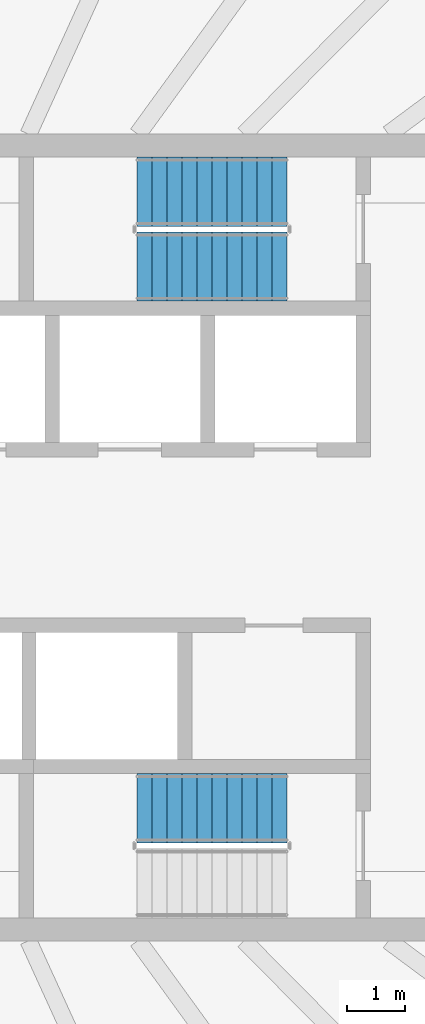
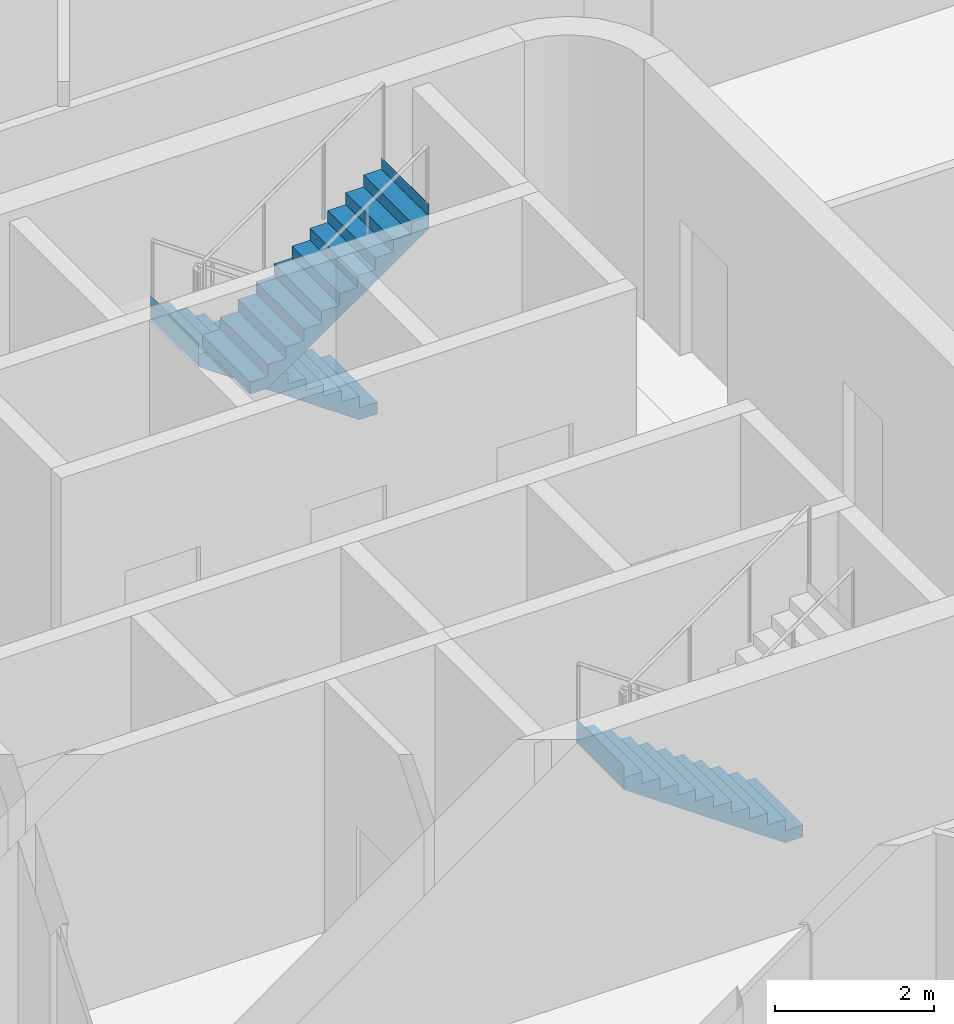
# One storey, part 15 of 20: 3 stair flights, 2 elements without a shape of their own.
"""IFC4 building model written with IfcOpenShell, lengths in metres."""

from ifc_helpers import new_model, si_unit, direction, frame, origin, place, context, subcontext, project, spatial, triangles, material, type_object, element, aggregate, save


model = new_model("IFC4")

# Units and contexts
model_context = context("Model", 3, precision=1e-05, world=origin(), true_north=direction((0.0, 1.0)))
body_context = subcontext(model_context, "Body", "Model", "MODEL_VIEW")
ifc_project = project(units=[si_unit("LENGTHUNIT", "METRE"), si_unit("AREAUNIT", "SQUARE_METRE"), si_unit("VOLUMEUNIT", "CUBIC_METRE"), si_unit("PLANEANGLEUNIT", "RADIAN"), si_unit("MASSUNIT", "GRAM", prefix="KILO")], contexts=[model_context])

# Site, building, storey
site_placement = place(None, origin())
site = spatial("IfcSite", under=ifc_project, at=site_placement, CompositionType="ELEMENT")
building_placement = place(site_placement, origin())
building = spatial("IfcBuilding", under=site, at=building_placement, Name="Sahrelin Media Tower", CompositionType="ELEMENT")
storey_placement = place(building_placement, frame((0.0, 0.0, 209.60009765625)))
storey = spatial("IfcBuildingStorey", under=building, at=storey_placement, Name="L44", CompositionType="ELEMENT", Elevation=209.60009765625)

# Stair, stair flights
ifc_material = material(Name="Concrete C40/50", Category="concrete")
stair_type = type_object("IfcStairType", Name="Exit stair 1200", PredefinedType="HALF_TURN_STAIR", material=ifc_material)
placement = place(storey_placement, origin())
stair_1 = element("IfcStair", 1, at=placement, inside=storey, type_object=stair_type, Name="L44 Exit stair ST3", PredefinedType="HALF_TURN_STAIR")
stair_flight_type = type_object("IfcStairFlightType", Name="Stair flight 1200", PredefinedType="STRAIGHT", material=ifc_material)
stair_flight_1_placement = place(storey_placement, frame((7.675048828125, 6.0, 0.0), z_axis=(0.0, 0.0, 1.0), x_axis=(-1.0, 0.0, 0.0)))
stair_flight_1 = element("IfcStairFlight", 2, at=stair_flight_1_placement, type_object=stair_flight_type, Name="ST3 flight 1", NumberOfRisers=11, NumberOfTreads=10, PredefinedType="STRAIGHT", RiserHeight=0.181818182, TreadLength=0.26, context=body_context, shape_type="Tessellation", body=[
    triangles([(0.261474609375, 0.60009765625, 0.0), (0.261474609375, 0.300048828125, 0.0), (0.261474609375, 0.0, 0.0), (0.261474609375, -0.300048828125, 0.0), (0.261474609375, -0.60009765625, 0.0), (2.60009765625, 0.60009765625, 1.63525390625), (2.60009765625, 0.300048828125, 1.63525390625), (2.60009765625, 0.0, 1.63525390625), (2.60009765625, -0.300048828125, 1.63525390625), (2.60009765625, -0.60009765625, 1.63525390625), (2.60009765625, 0.60009765625, 2.0), (2.60009765625, 0.300048828125, 2.0), (2.60009765625, 0.0, 2.0), (2.60009765625, -0.300048828125, 2.0), (2.60009765625, -0.60009765625, 2.0), (2.597900390625, 0.60009765625, 2.0), (2.597900390625, 0.300048828125, 2.0), (2.597900390625, 0.0, 2.0), (2.597900390625, -0.300048828125, 2.0), (2.597900390625, -0.60009765625, 2.0), (2.597900390625, 0.60009765625, 1.818115234375), (2.597900390625, 0.300048828125, 1.818115234375), (2.597900390625, 0.0, 1.818115234375), (2.597900390625, -0.300048828125, 1.818115234375), (2.597900390625, -0.60009765625, 1.818115234375), (2.340087890625, 0.60009765625, 1.818115234375), (2.340087890625, 0.300048828125, 1.818115234375), (2.340087890625, 0.0, 1.818115234375), (2.340087890625, -0.300048828125, 1.818115234375), (2.340087890625, -0.60009765625, 1.818115234375), (2.340087890625, 0.60009765625, 1.636474609375), (2.340087890625, 0.300048828125, 1.636474609375), (2.340087890625, 0.0, 1.636474609375), (2.340087890625, -0.300048828125, 1.636474609375), (2.340087890625, -0.60009765625, 1.636474609375), (2.080078125, 0.60009765625, 1.636474609375), (2.080078125, 0.300048828125, 1.636474609375), (2.080078125, 0.0, 1.636474609375), (2.080078125, -0.300048828125, 1.636474609375), (2.080078125, -0.60009765625, 1.636474609375), (2.080078125, 0.60009765625, 1.45458984375), (2.080078125, 0.300048828125, 1.45458984375), (2.080078125, 0.0, 1.45458984375), (2.080078125, -0.300048828125, 1.45458984375), (2.080078125, -0.60009765625, 1.45458984375), (1.820068359375, 0.60009765625, 1.45458984375), (1.820068359375, 0.300048828125, 1.45458984375), (1.820068359375, 0.0, 1.45458984375), (1.820068359375, -0.300048828125, 1.45458984375), (1.820068359375, -0.60009765625, 1.45458984375), (1.820068359375, 0.60009765625, 1.272705078125), (1.820068359375, 0.300048828125, 1.272705078125), (1.820068359375, 0.0, 1.272705078125), (1.820068359375, -0.300048828125, 1.272705078125), (1.820068359375, -0.60009765625, 1.272705078125), (1.56005859375, 0.60009765625, 1.272705078125), (1.56005859375, 0.300048828125, 1.272705078125), (1.56005859375, 0.0, 1.272705078125), (1.56005859375, -0.300048828125, 1.272705078125), (1.56005859375, -0.60009765625, 1.272705078125), (1.56005859375, 0.60009765625, 1.0908203125), (1.56005859375, 0.300048828125, 1.0908203125), (1.56005859375, 0.0, 1.0908203125), (1.56005859375, -0.300048828125, 1.0908203125), (1.56005859375, -0.60009765625, 1.0908203125), (1.300048828125, 0.60009765625, 1.0908203125), (1.300048828125, 0.300048828125, 1.0908203125), (1.300048828125, 0.0, 1.0908203125), (1.300048828125, -0.300048828125, 1.0908203125), (1.300048828125, -0.60009765625, 1.0908203125), (1.300048828125, 0.60009765625, 0.9091796875), (1.300048828125, 0.300048828125, 0.9091796875), (1.300048828125, 0.0, 0.9091796875), (1.300048828125, -0.300048828125, 0.9091796875), (1.300048828125, -0.60009765625, 0.9091796875), (1.0400390625, 0.60009765625, 0.9091796875), (1.0400390625, 0.300048828125, 0.9091796875), (1.0400390625, 0.0, 0.9091796875), (1.0400390625, -0.300048828125, 0.9091796875), (1.0400390625, -0.60009765625, 0.9091796875), (1.0400390625, 0.60009765625, 0.727294921875), (1.0400390625, 0.300048828125, 0.727294921875), (1.0400390625, 0.0, 0.727294921875), (1.0400390625, -0.300048828125, 0.727294921875), (1.0400390625, -0.60009765625, 0.727294921875), (0.780029296875, 0.60009765625, 0.727294921875), (0.780029296875, 0.300048828125, 0.727294921875), (0.780029296875, 0.0, 0.727294921875), (0.780029296875, -0.300048828125, 0.727294921875), (0.780029296875, -0.60009765625, 0.727294921875), (0.780029296875, 0.60009765625, 0.54541015625), (0.780029296875, 0.300048828125, 0.54541015625), (0.780029296875, 0.0, 0.54541015625), (0.780029296875, -0.300048828125, 0.54541015625), (0.780029296875, -0.60009765625, 0.54541015625), (0.52001953125, 0.60009765625, 0.54541015625), (0.52001953125, 0.300048828125, 0.54541015625), (0.52001953125, 0.0, 0.54541015625), (0.52001953125, -0.300048828125, 0.54541015625), (0.52001953125, -0.60009765625, 0.54541015625), (0.52001953125, 0.60009765625, 0.363525390625), (0.52001953125, 0.300048828125, 0.363525390625), (0.52001953125, 0.0, 0.363525390625), (0.52001953125, -0.300048828125, 0.363525390625), (0.52001953125, -0.60009765625, 0.363525390625), (0.260009765625, 0.60009765625, 0.363525390625), (0.260009765625, 0.300048828125, 0.363525390625), (0.260009765625, 0.0, 0.363525390625), (0.260009765625, -0.300048828125, 0.363525390625), (0.260009765625, -0.60009765625, 0.363525390625), (0.260009765625, 0.60009765625, 0.181884765625), (0.260009765625, 0.300048828125, 0.181884765625), (0.260009765625, 0.0, 0.181884765625), (0.260009765625, -0.300048828125, 0.181884765625), (0.260009765625, -0.60009765625, 0.181884765625), (0.0, 0.60009765625, 0.181884765625), (0.0, 0.300048828125, 0.181884765625), (0.0, 0.0, 0.181884765625), (0.0, -0.300048828125, 0.181884765625), (0.0, -0.60009765625, 0.181884765625), (0.0, 0.60009765625, 0.0), (0.0, 0.300048828125, 0.0), (0.0, 0.0, 0.0), (0.0, -0.300048828125, 0.0), (0.0, -0.60009765625, 0.0)], [[1, 6, 7], [1, 7, 2], [2, 7, 8], [2, 8, 3], [3, 8, 9], [3, 9, 4], [4, 9, 10], [4, 10, 5], [6, 11, 12], [6, 12, 7], [7, 12, 13], [7, 13, 8], [8, 13, 14], [8, 14, 9], [9, 14, 15], [9, 15, 10], [11, 16, 17], [11, 17, 12], [12, 17, 18], [12, 18, 13], [13, 18, 19], [13, 19, 14], [14, 19, 20], [14, 20, 15], [16, 21, 22], [16, 22, 17], [17, 22, 23], [17, 23, 18], [18, 23, 24], [18, 24, 19], [19, 24, 25], [19, 25, 20], [21, 26, 27], [21, 27, 22], [22, 27, 28], [22, 28, 23], [23, 28, 29], [23, 29, 24], [24, 29, 30], [24, 30, 25], [26, 31, 32], [26, 32, 27], [27, 32, 33], [27, 33, 28], [28, 33, 34], [28, 34, 29], [29, 34, 35], [29, 35, 30], [31, 36, 37], [31, 37, 32], [32, 37, 38], [32, 38, 33], [33, 38, 39], [33, 39, 34], [34, 39, 40], [34, 40, 35], [36, 41, 42], [36, 42, 37], [37, 42, 43], [37, 43, 38], [38, 43, 44], [38, 44, 39], [39, 44, 45], [39, 45, 40], [41, 46, 47], [41, 47, 42], [42, 47, 48], [42, 48, 43], [43, 48, 49], [43, 49, 44], [44, 49, 50], [44, 50, 45], [46, 51, 52], [46, 52, 47], [47, 52, 53], [47, 53, 48], [48, 53, 54], [48, 54, 49], [49, 54, 55], [49, 55, 50], [51, 56, 57], [51, 57, 52], [52, 57, 58], [52, 58, 53], [53, 58, 59], [53, 59, 54], [54, 59, 60], [54, 60, 55], [56, 61, 62], [56, 62, 57], [57, 62, 63], [57, 63, 58], [58, 63, 64], [58, 64, 59], [59, 64, 65], [59, 65, 60], [61, 66, 67], [61, 67, 62], [62, 67, 68], [62, 68, 63], [63, 68, 69], [63, 69, 64], [64, 69, 70], [64, 70, 65], [66, 71, 72], [66, 72, 67], [67, 72, 73], [67, 73, 68], [68, 73, 74], [68, 74, 69], [69, 74, 75], [69, 75, 70], [71, 76, 77], [71, 77, 72], [72, 77, 78], [72, 78, 73], [73, 78, 79], [73, 79, 74], [74, 79, 80], [74, 80, 75], [76, 81, 82], [76, 82, 77], [77, 82, 83], [77, 83, 78], [78, 83, 84], [78, 84, 79], [79, 84, 85], [79, 85, 80], [81, 86, 87], [81, 87, 82], [82, 87, 88], [82, 88, 83], [83, 88, 89], [83, 89, 84], [84, 89, 90], [84, 90, 85], [86, 91, 92], [86, 92, 87], [87, 92, 93], [87, 93, 88], [88, 93, 94], [88, 94, 89], [89, 94, 95], [89, 95, 90], [91, 96, 97], [91, 97, 92], [92, 97, 98], [92, 98, 93], [93, 98, 99], [93, 99, 94], [94, 99, 100], [94, 100, 95], [96, 101, 102], [96, 102, 97], [97, 102, 103], [97, 103, 98], [98, 103, 104], [98, 104, 99], [99, 104, 105], [99, 105, 100], [101, 106, 107], [101, 107, 102], [102, 107, 108], [102, 108, 103], [103, 108, 109], [103, 109, 104], [104, 109, 110], [104, 110, 105], [106, 111, 112], [106, 112, 107], [107, 112, 113], [107, 113, 108], [108, 113, 114], [108, 114, 109], [109, 114, 115], [109, 115, 110], [111, 116, 117], [111, 117, 112], [112, 117, 118], [112, 118, 113], [113, 118, 119], [113, 119, 114], [114, 119, 120], [114, 120, 115], [116, 121, 122], [116, 122, 117], [117, 122, 123], [117, 123, 118], [118, 123, 124], [118, 124, 119], [119, 124, 125], [119, 125, 120], [121, 1, 2], [121, 2, 122], [122, 2, 3], [122, 3, 123], [123, 3, 4], [123, 4, 124], [124, 4, 5], [124, 5, 125], [115, 120, 125], [111, 121, 116], [115, 105, 110], [111, 106, 101], [105, 95, 100], [101, 96, 91], [95, 85, 90], [91, 86, 81], [85, 75, 80], [81, 76, 71], [75, 65, 70], [71, 66, 61], [65, 55, 60], [61, 56, 51], [55, 45, 50], [51, 46, 41], [45, 35, 40], [41, 36, 31], [35, 25, 30], [31, 26, 21], [25, 15, 20], [21, 16, 11], [125, 5, 115], [121, 111, 1], [25, 10, 15], [21, 11, 6], [105, 115, 5], [101, 1, 111], [35, 10, 25], [31, 21, 6], [95, 105, 5], [91, 1, 101], [45, 10, 35], [41, 31, 6], [85, 95, 5], [81, 1, 91], [55, 10, 45], [51, 41, 6], [75, 85, 5], [71, 1, 81], [65, 10, 55], [61, 51, 6], [5, 10, 75], [1, 71, 6], [75, 10, 65], [71, 61, 6]], closed=True),
])
stair_flight_2_placement = place(storey_placement, frame((5.074951171875, 4.699951171875, 2.0), z_axis=(0.0, 0.0, 1.0), x_axis=(1.0, 0.0, 0.0)))
stair_flight_2 = element("IfcStairFlight", 3, at=stair_flight_2_placement, type_object=stair_flight_type, Name="ST3 flight 2", NumberOfRisers=11, NumberOfTreads=10, PredefinedType="STRAIGHT", RiserHeight=0.181818182, TreadLength=0.26, context=body_context, shape_type="Tessellation", body=[
    triangles([(0.261474609375, 0.60009765625, 0.0), (0.261474609375, 0.300048828125, 0.0), (0.261474609375, 0.0, 0.0), (0.261474609375, -0.300048828125, 0.0), (0.261474609375, -0.60009765625, 0.0), (2.60009765625, 0.60009765625, 1.63525390625), (2.60009765625, 0.300048828125, 1.63525390625), (2.60009765625, 0.0, 1.63525390625), (2.60009765625, -0.300048828125, 1.63525390625), (2.60009765625, -0.60009765625, 1.63525390625), (2.60009765625, 0.60009765625, 2.0), (2.60009765625, 0.300048828125, 2.0), (2.60009765625, 0.0, 2.0), (2.60009765625, -0.300048828125, 2.0), (2.60009765625, -0.60009765625, 2.0), (2.597900390625, 0.60009765625, 2.0), (2.597900390625, 0.300048828125, 2.0), (2.597900390625, 0.0, 2.0), (2.597900390625, -0.300048828125, 2.0), (2.597900390625, -0.60009765625, 2.0), (2.597900390625, 0.60009765625, 1.818115234375), (2.597900390625, 0.300048828125, 1.818115234375), (2.597900390625, 0.0, 1.818115234375), (2.597900390625, -0.300048828125, 1.818115234375), (2.597900390625, -0.60009765625, 1.818115234375), (2.340087890625, 0.60009765625, 1.818115234375), (2.340087890625, 0.300048828125, 1.818115234375), (2.340087890625, 0.0, 1.818115234375), (2.340087890625, -0.300048828125, 1.818115234375), (2.340087890625, -0.60009765625, 1.818115234375), (2.340087890625, 0.60009765625, 1.636474609375), (2.340087890625, 0.300048828125, 1.636474609375), (2.340087890625, 0.0, 1.636474609375), (2.340087890625, -0.300048828125, 1.636474609375), (2.340087890625, -0.60009765625, 1.636474609375), (2.080078125, 0.60009765625, 1.636474609375), (2.080078125, 0.300048828125, 1.636474609375), (2.080078125, 0.0, 1.636474609375), (2.080078125, -0.300048828125, 1.636474609375), (2.080078125, -0.60009765625, 1.636474609375), (2.080078125, 0.60009765625, 1.45458984375), (2.080078125, 0.300048828125, 1.45458984375), (2.080078125, 0.0, 1.45458984375), (2.080078125, -0.300048828125, 1.45458984375), (2.080078125, -0.60009765625, 1.45458984375), (1.820068359375, 0.60009765625, 1.45458984375), (1.820068359375, 0.300048828125, 1.45458984375), (1.820068359375, 0.0, 1.45458984375), (1.820068359375, -0.300048828125, 1.45458984375), (1.820068359375, -0.60009765625, 1.45458984375), (1.820068359375, 0.60009765625, 1.272705078125), (1.820068359375, 0.300048828125, 1.272705078125), (1.820068359375, 0.0, 1.272705078125), (1.820068359375, -0.300048828125, 1.272705078125), (1.820068359375, -0.60009765625, 1.272705078125), (1.56005859375, 0.60009765625, 1.272705078125), (1.56005859375, 0.300048828125, 1.272705078125), (1.56005859375, 0.0, 1.272705078125), (1.56005859375, -0.300048828125, 1.272705078125), (1.56005859375, -0.60009765625, 1.272705078125), (1.56005859375, 0.60009765625, 1.0908203125), (1.56005859375, 0.300048828125, 1.0908203125), (1.56005859375, 0.0, 1.0908203125), (1.56005859375, -0.300048828125, 1.0908203125), (1.56005859375, -0.60009765625, 1.0908203125), (1.300048828125, 0.60009765625, 1.0908203125), (1.300048828125, 0.300048828125, 1.0908203125), (1.300048828125, 0.0, 1.0908203125), (1.300048828125, -0.300048828125, 1.0908203125), (1.300048828125, -0.60009765625, 1.0908203125), (1.300048828125, 0.60009765625, 0.9091796875), (1.300048828125, 0.300048828125, 0.9091796875), (1.300048828125, 0.0, 0.9091796875), (1.300048828125, -0.300048828125, 0.9091796875), (1.300048828125, -0.60009765625, 0.9091796875), (1.0400390625, 0.60009765625, 0.9091796875), (1.0400390625, 0.300048828125, 0.9091796875), (1.0400390625, 0.0, 0.9091796875), (1.0400390625, -0.300048828125, 0.9091796875), (1.0400390625, -0.60009765625, 0.9091796875), (1.0400390625, 0.60009765625, 0.727294921875), (1.0400390625, 0.300048828125, 0.727294921875), (1.0400390625, 0.0, 0.727294921875), (1.0400390625, -0.300048828125, 0.727294921875), (1.0400390625, -0.60009765625, 0.727294921875), (0.780029296875, 0.60009765625, 0.727294921875), (0.780029296875, 0.300048828125, 0.727294921875), (0.780029296875, 0.0, 0.727294921875), (0.780029296875, -0.300048828125, 0.727294921875), (0.780029296875, -0.60009765625, 0.727294921875), (0.780029296875, 0.60009765625, 0.54541015625), (0.780029296875, 0.300048828125, 0.54541015625), (0.780029296875, 0.0, 0.54541015625), (0.780029296875, -0.300048828125, 0.54541015625), (0.780029296875, -0.60009765625, 0.54541015625), (0.52001953125, 0.60009765625, 0.54541015625), (0.52001953125, 0.300048828125, 0.54541015625), (0.52001953125, 0.0, 0.54541015625), (0.52001953125, -0.300048828125, 0.54541015625), (0.52001953125, -0.60009765625, 0.54541015625), (0.52001953125, 0.60009765625, 0.363525390625), (0.52001953125, 0.300048828125, 0.363525390625), (0.52001953125, 0.0, 0.363525390625), (0.52001953125, -0.300048828125, 0.363525390625), (0.52001953125, -0.60009765625, 0.363525390625), (0.260009765625, 0.60009765625, 0.363525390625), (0.260009765625, 0.300048828125, 0.363525390625), (0.260009765625, 0.0, 0.363525390625), (0.260009765625, -0.300048828125, 0.363525390625), (0.260009765625, -0.60009765625, 0.363525390625), (0.260009765625, 0.60009765625, 0.181884765625), (0.260009765625, 0.300048828125, 0.181884765625), (0.260009765625, 0.0, 0.181884765625), (0.260009765625, -0.300048828125, 0.181884765625), (0.260009765625, -0.60009765625, 0.181884765625), (0.0, 0.60009765625, 0.181884765625), (0.0, 0.300048828125, 0.181884765625), (0.0, 0.0, 0.181884765625), (0.0, -0.300048828125, 0.181884765625), (0.0, -0.60009765625, 0.181884765625), (0.0, 0.60009765625, 0.0), (0.0, 0.300048828125, 0.0), (0.0, 0.0, 0.0), (0.0, -0.300048828125, 0.0), (0.0, -0.60009765625, 0.0)], [[1, 6, 7], [1, 7, 2], [2, 7, 8], [2, 8, 3], [3, 8, 9], [3, 9, 4], [4, 9, 10], [4, 10, 5], [6, 11, 12], [6, 12, 7], [7, 12, 13], [7, 13, 8], [8, 13, 14], [8, 14, 9], [9, 14, 15], [9, 15, 10], [11, 16, 17], [11, 17, 12], [12, 17, 18], [12, 18, 13], [13, 18, 19], [13, 19, 14], [14, 19, 20], [14, 20, 15], [16, 21, 22], [16, 22, 17], [17, 22, 23], [17, 23, 18], [18, 23, 24], [18, 24, 19], [19, 24, 25], [19, 25, 20], [21, 26, 27], [21, 27, 22], [22, 27, 28], [22, 28, 23], [23, 28, 29], [23, 29, 24], [24, 29, 30], [24, 30, 25], [26, 31, 32], [26, 32, 27], [27, 32, 33], [27, 33, 28], [28, 33, 34], [28, 34, 29], [29, 34, 35], [29, 35, 30], [31, 36, 37], [31, 37, 32], [32, 37, 38], [32, 38, 33], [33, 38, 39], [33, 39, 34], [34, 39, 40], [34, 40, 35], [36, 41, 42], [36, 42, 37], [37, 42, 43], [37, 43, 38], [38, 43, 44], [38, 44, 39], [39, 44, 45], [39, 45, 40], [41, 46, 47], [41, 47, 42], [42, 47, 48], [42, 48, 43], [43, 48, 49], [43, 49, 44], [44, 49, 50], [44, 50, 45], [46, 51, 52], [46, 52, 47], [47, 52, 53], [47, 53, 48], [48, 53, 54], [48, 54, 49], [49, 54, 55], [49, 55, 50], [51, 56, 57], [51, 57, 52], [52, 57, 58], [52, 58, 53], [53, 58, 59], [53, 59, 54], [54, 59, 60], [54, 60, 55], [56, 61, 62], [56, 62, 57], [57, 62, 63], [57, 63, 58], [58, 63, 64], [58, 64, 59], [59, 64, 65], [59, 65, 60], [61, 66, 67], [61, 67, 62], [62, 67, 68], [62, 68, 63], [63, 68, 69], [63, 69, 64], [64, 69, 70], [64, 70, 65], [66, 71, 72], [66, 72, 67], [67, 72, 73], [67, 73, 68], [68, 73, 74], [68, 74, 69], [69, 74, 75], [69, 75, 70], [71, 76, 77], [71, 77, 72], [72, 77, 78], [72, 78, 73], [73, 78, 79], [73, 79, 74], [74, 79, 80], [74, 80, 75], [76, 81, 82], [76, 82, 77], [77, 82, 83], [77, 83, 78], [78, 83, 84], [78, 84, 79], [79, 84, 85], [79, 85, 80], [81, 86, 87], [81, 87, 82], [82, 87, 88], [82, 88, 83], [83, 88, 89], [83, 89, 84], [84, 89, 90], [84, 90, 85], [86, 91, 92], [86, 92, 87], [87, 92, 93], [87, 93, 88], [88, 93, 94], [88, 94, 89], [89, 94, 95], [89, 95, 90], [91, 96, 97], [91, 97, 92], [92, 97, 98], [92, 98, 93], [93, 98, 99], [93, 99, 94], [94, 99, 100], [94, 100, 95], [96, 101, 102], [96, 102, 97], [97, 102, 103], [97, 103, 98], [98, 103, 104], [98, 104, 99], [99, 104, 105], [99, 105, 100], [101, 106, 107], [101, 107, 102], [102, 107, 108], [102, 108, 103], [103, 108, 109], [103, 109, 104], [104, 109, 110], [104, 110, 105], [106, 111, 112], [106, 112, 107], [107, 112, 113], [107, 113, 108], [108, 113, 114], [108, 114, 109], [109, 114, 115], [109, 115, 110], [111, 116, 117], [111, 117, 112], [112, 117, 118], [112, 118, 113], [113, 118, 119], [113, 119, 114], [114, 119, 120], [114, 120, 115], [116, 121, 122], [116, 122, 117], [117, 122, 123], [117, 123, 118], [118, 123, 124], [118, 124, 119], [119, 124, 125], [119, 125, 120], [121, 1, 2], [121, 2, 122], [122, 2, 3], [122, 3, 123], [123, 3, 4], [123, 4, 124], [124, 4, 5], [124, 5, 125], [115, 120, 125], [111, 121, 116], [115, 105, 110], [111, 106, 101], [105, 95, 100], [101, 96, 91], [95, 85, 90], [91, 86, 81], [85, 75, 80], [81, 76, 71], [75, 65, 70], [71, 66, 61], [65, 55, 60], [61, 56, 51], [55, 45, 50], [51, 46, 41], [45, 35, 40], [41, 36, 31], [35, 25, 30], [31, 26, 21], [25, 15, 20], [21, 16, 11], [125, 5, 115], [121, 111, 1], [25, 10, 15], [21, 11, 6], [105, 115, 5], [101, 1, 111], [35, 10, 25], [31, 21, 6], [95, 105, 5], [91, 1, 101], [45, 10, 35], [41, 31, 6], [85, 95, 5], [81, 1, 91], [55, 10, 45], [51, 41, 6], [75, 85, 5], [71, 1, 81], [65, 10, 55], [61, 51, 6], [5, 10, 75], [1, 71, 6], [75, 10, 65], [71, 61, 6]], closed=True),
])
aggregate(stair_1, [stair_flight_1, stair_flight_2])

# Stair, stair flight
stair_2 = element("IfcStair", 4, at=placement, inside=storey, type_object=stair_type, Name="L44 Exit stair ST2", PredefinedType="HALF_TURN_STAIR")
stair_flight_3_placement = place(storey_placement, frame((7.675048828125, -4.699951171875, 0.0), z_axis=(0.0, 0.0, 1.0), x_axis=(-1.0, 0.0, 0.0)))
stair_flight_3 = element("IfcStairFlight", 5, at=stair_flight_3_placement, type_object=stair_flight_type, Name="ST2 flight 1", NumberOfRisers=11, NumberOfTreads=10, PredefinedType="STRAIGHT", RiserHeight=0.181818182, TreadLength=0.26, context=body_context, shape_type="Tessellation", body=[
    triangles([(0.261474609375, 0.60009765625, 0.0), (0.261474609375, 0.300048828125, 0.0), (0.261474609375, 0.0, 0.0), (0.261474609375, -0.300048828125, 0.0), (0.261474609375, -0.60009765625, 0.0), (2.60009765625, 0.60009765625, 1.63525390625), (2.60009765625, 0.300048828125, 1.63525390625), (2.60009765625, 0.0, 1.63525390625), (2.60009765625, -0.300048828125, 1.63525390625), (2.60009765625, -0.60009765625, 1.63525390625), (2.60009765625, 0.60009765625, 2.0), (2.60009765625, 0.300048828125, 2.0), (2.60009765625, 0.0, 2.0), (2.60009765625, -0.300048828125, 2.0), (2.60009765625, -0.60009765625, 2.0), (2.597900390625, 0.60009765625, 2.0), (2.597900390625, 0.300048828125, 2.0), (2.597900390625, 0.0, 2.0), (2.597900390625, -0.300048828125, 2.0), (2.597900390625, -0.60009765625, 2.0), (2.597900390625, 0.60009765625, 1.818115234375), (2.597900390625, 0.300048828125, 1.818115234375), (2.597900390625, 0.0, 1.818115234375), (2.597900390625, -0.300048828125, 1.818115234375), (2.597900390625, -0.60009765625, 1.818115234375), (2.340087890625, 0.60009765625, 1.818115234375), (2.340087890625, 0.300048828125, 1.818115234375), (2.340087890625, 0.0, 1.818115234375), (2.340087890625, -0.300048828125, 1.818115234375), (2.340087890625, -0.60009765625, 1.818115234375), (2.340087890625, 0.60009765625, 1.636474609375), (2.340087890625, 0.300048828125, 1.636474609375), (2.340087890625, 0.0, 1.636474609375), (2.340087890625, -0.300048828125, 1.636474609375), (2.340087890625, -0.60009765625, 1.636474609375), (2.080078125, 0.60009765625, 1.636474609375), (2.080078125, 0.300048828125, 1.636474609375), (2.080078125, 0.0, 1.636474609375), (2.080078125, -0.300048828125, 1.636474609375), (2.080078125, -0.60009765625, 1.636474609375), (2.080078125, 0.60009765625, 1.45458984375), (2.080078125, 0.300048828125, 1.45458984375), (2.080078125, 0.0, 1.45458984375), (2.080078125, -0.300048828125, 1.45458984375), (2.080078125, -0.60009765625, 1.45458984375), (1.820068359375, 0.60009765625, 1.45458984375), (1.820068359375, 0.300048828125, 1.45458984375), (1.820068359375, 0.0, 1.45458984375), (1.820068359375, -0.300048828125, 1.45458984375), (1.820068359375, -0.60009765625, 1.45458984375), (1.820068359375, 0.60009765625, 1.272705078125), (1.820068359375, 0.300048828125, 1.272705078125), (1.820068359375, 0.0, 1.272705078125), (1.820068359375, -0.300048828125, 1.272705078125), (1.820068359375, -0.60009765625, 1.272705078125), (1.56005859375, 0.60009765625, 1.272705078125), (1.56005859375, 0.300048828125, 1.272705078125), (1.56005859375, 0.0, 1.272705078125), (1.56005859375, -0.300048828125, 1.272705078125), (1.56005859375, -0.60009765625, 1.272705078125), (1.56005859375, 0.60009765625, 1.0908203125), (1.56005859375, 0.300048828125, 1.0908203125), (1.56005859375, 0.0, 1.0908203125), (1.56005859375, -0.300048828125, 1.0908203125), (1.56005859375, -0.60009765625, 1.0908203125), (1.300048828125, 0.60009765625, 1.0908203125), (1.300048828125, 0.300048828125, 1.0908203125), (1.300048828125, 0.0, 1.0908203125), (1.300048828125, -0.300048828125, 1.0908203125), (1.300048828125, -0.60009765625, 1.0908203125), (1.300048828125, 0.60009765625, 0.9091796875), (1.300048828125, 0.300048828125, 0.9091796875), (1.300048828125, 0.0, 0.9091796875), (1.300048828125, -0.300048828125, 0.9091796875), (1.300048828125, -0.60009765625, 0.9091796875), (1.0400390625, 0.60009765625, 0.9091796875), (1.0400390625, 0.300048828125, 0.9091796875), (1.0400390625, 0.0, 0.9091796875), (1.0400390625, -0.300048828125, 0.9091796875), (1.0400390625, -0.60009765625, 0.9091796875), (1.0400390625, 0.60009765625, 0.727294921875), (1.0400390625, 0.300048828125, 0.727294921875), (1.0400390625, 0.0, 0.727294921875), (1.0400390625, -0.300048828125, 0.727294921875), (1.0400390625, -0.60009765625, 0.727294921875), (0.780029296875, 0.60009765625, 0.727294921875), (0.780029296875, 0.300048828125, 0.727294921875), (0.780029296875, 0.0, 0.727294921875), (0.780029296875, -0.300048828125, 0.727294921875), (0.780029296875, -0.60009765625, 0.727294921875), (0.780029296875, 0.60009765625, 0.54541015625), (0.780029296875, 0.300048828125, 0.54541015625), (0.780029296875, 0.0, 0.54541015625), (0.780029296875, -0.300048828125, 0.54541015625), (0.780029296875, -0.60009765625, 0.54541015625), (0.52001953125, 0.60009765625, 0.54541015625), (0.52001953125, 0.300048828125, 0.54541015625), (0.52001953125, 0.0, 0.54541015625), (0.52001953125, -0.300048828125, 0.54541015625), (0.52001953125, -0.60009765625, 0.54541015625), (0.52001953125, 0.60009765625, 0.363525390625), (0.52001953125, 0.300048828125, 0.363525390625), (0.52001953125, 0.0, 0.363525390625), (0.52001953125, -0.300048828125, 0.363525390625), (0.52001953125, -0.60009765625, 0.363525390625), (0.260009765625, 0.60009765625, 0.363525390625), (0.260009765625, 0.300048828125, 0.363525390625), (0.260009765625, 0.0, 0.363525390625), (0.260009765625, -0.300048828125, 0.363525390625), (0.260009765625, -0.60009765625, 0.363525390625), (0.260009765625, 0.60009765625, 0.181884765625), (0.260009765625, 0.300048828125, 0.181884765625), (0.260009765625, 0.0, 0.181884765625), (0.260009765625, -0.300048828125, 0.181884765625), (0.260009765625, -0.60009765625, 0.181884765625), (0.0, 0.60009765625, 0.181884765625), (0.0, 0.300048828125, 0.181884765625), (0.0, 0.0, 0.181884765625), (0.0, -0.300048828125, 0.181884765625), (0.0, -0.60009765625, 0.181884765625), (0.0, 0.60009765625, 0.0), (0.0, 0.300048828125, 0.0), (0.0, 0.0, 0.0), (0.0, -0.300048828125, 0.0), (0.0, -0.60009765625, 0.0)], [[1, 6, 7], [1, 7, 2], [2, 7, 8], [2, 8, 3], [3, 8, 9], [3, 9, 4], [4, 9, 10], [4, 10, 5], [6, 11, 12], [6, 12, 7], [7, 12, 13], [7, 13, 8], [8, 13, 14], [8, 14, 9], [9, 14, 15], [9, 15, 10], [11, 16, 17], [11, 17, 12], [12, 17, 18], [12, 18, 13], [13, 18, 19], [13, 19, 14], [14, 19, 20], [14, 20, 15], [16, 21, 22], [16, 22, 17], [17, 22, 23], [17, 23, 18], [18, 23, 24], [18, 24, 19], [19, 24, 25], [19, 25, 20], [21, 26, 27], [21, 27, 22], [22, 27, 28], [22, 28, 23], [23, 28, 29], [23, 29, 24], [24, 29, 30], [24, 30, 25], [26, 31, 32], [26, 32, 27], [27, 32, 33], [27, 33, 28], [28, 33, 34], [28, 34, 29], [29, 34, 35], [29, 35, 30], [31, 36, 37], [31, 37, 32], [32, 37, 38], [32, 38, 33], [33, 38, 39], [33, 39, 34], [34, 39, 40], [34, 40, 35], [36, 41, 42], [36, 42, 37], [37, 42, 43], [37, 43, 38], [38, 43, 44], [38, 44, 39], [39, 44, 45], [39, 45, 40], [41, 46, 47], [41, 47, 42], [42, 47, 48], [42, 48, 43], [43, 48, 49], [43, 49, 44], [44, 49, 50], [44, 50, 45], [46, 51, 52], [46, 52, 47], [47, 52, 53], [47, 53, 48], [48, 53, 54], [48, 54, 49], [49, 54, 55], [49, 55, 50], [51, 56, 57], [51, 57, 52], [52, 57, 58], [52, 58, 53], [53, 58, 59], [53, 59, 54], [54, 59, 60], [54, 60, 55], [56, 61, 62], [56, 62, 57], [57, 62, 63], [57, 63, 58], [58, 63, 64], [58, 64, 59], [59, 64, 65], [59, 65, 60], [61, 66, 67], [61, 67, 62], [62, 67, 68], [62, 68, 63], [63, 68, 69], [63, 69, 64], [64, 69, 70], [64, 70, 65], [66, 71, 72], [66, 72, 67], [67, 72, 73], [67, 73, 68], [68, 73, 74], [68, 74, 69], [69, 74, 75], [69, 75, 70], [71, 76, 77], [71, 77, 72], [72, 77, 78], [72, 78, 73], [73, 78, 79], [73, 79, 74], [74, 79, 80], [74, 80, 75], [76, 81, 82], [76, 82, 77], [77, 82, 83], [77, 83, 78], [78, 83, 84], [78, 84, 79], [79, 84, 85], [79, 85, 80], [81, 86, 87], [81, 87, 82], [82, 87, 88], [82, 88, 83], [83, 88, 89], [83, 89, 84], [84, 89, 90], [84, 90, 85], [86, 91, 92], [86, 92, 87], [87, 92, 93], [87, 93, 88], [88, 93, 94], [88, 94, 89], [89, 94, 95], [89, 95, 90], [91, 96, 97], [91, 97, 92], [92, 97, 98], [92, 98, 93], [93, 98, 99], [93, 99, 94], [94, 99, 100], [94, 100, 95], [96, 101, 102], [96, 102, 97], [97, 102, 103], [97, 103, 98], [98, 103, 104], [98, 104, 99], [99, 104, 105], [99, 105, 100], [101, 106, 107], [101, 107, 102], [102, 107, 108], [102, 108, 103], [103, 108, 109], [103, 109, 104], [104, 109, 110], [104, 110, 105], [106, 111, 112], [106, 112, 107], [107, 112, 113], [107, 113, 108], [108, 113, 114], [108, 114, 109], [109, 114, 115], [109, 115, 110], [111, 116, 117], [111, 117, 112], [112, 117, 118], [112, 118, 113], [113, 118, 119], [113, 119, 114], [114, 119, 120], [114, 120, 115], [116, 121, 122], [116, 122, 117], [117, 122, 123], [117, 123, 118], [118, 123, 124], [118, 124, 119], [119, 124, 125], [119, 125, 120], [121, 1, 2], [121, 2, 122], [122, 2, 3], [122, 3, 123], [123, 3, 4], [123, 4, 124], [124, 4, 5], [124, 5, 125], [115, 120, 125], [111, 121, 116], [115, 105, 110], [111, 106, 101], [105, 95, 100], [101, 96, 91], [95, 85, 90], [91, 86, 81], [85, 75, 80], [81, 76, 71], [75, 65, 70], [71, 66, 61], [65, 55, 60], [61, 56, 51], [55, 45, 50], [51, 46, 41], [45, 35, 40], [41, 36, 31], [35, 25, 30], [31, 26, 21], [25, 15, 20], [21, 16, 11], [125, 5, 115], [121, 111, 1], [25, 10, 15], [21, 11, 6], [105, 115, 5], [101, 1, 111], [35, 10, 25], [31, 21, 6], [95, 105, 5], [91, 1, 101], [45, 10, 35], [41, 31, 6], [85, 95, 5], [81, 1, 91], [55, 10, 45], [51, 41, 6], [75, 85, 5], [71, 1, 81], [65, 10, 55], [61, 51, 6], [5, 10, 75], [1, 71, 6], [75, 10, 65], [71, 61, 6]], closed=True),
])
aggregate(stair_2, [stair_flight_3])

save(model, "model.ifc")
